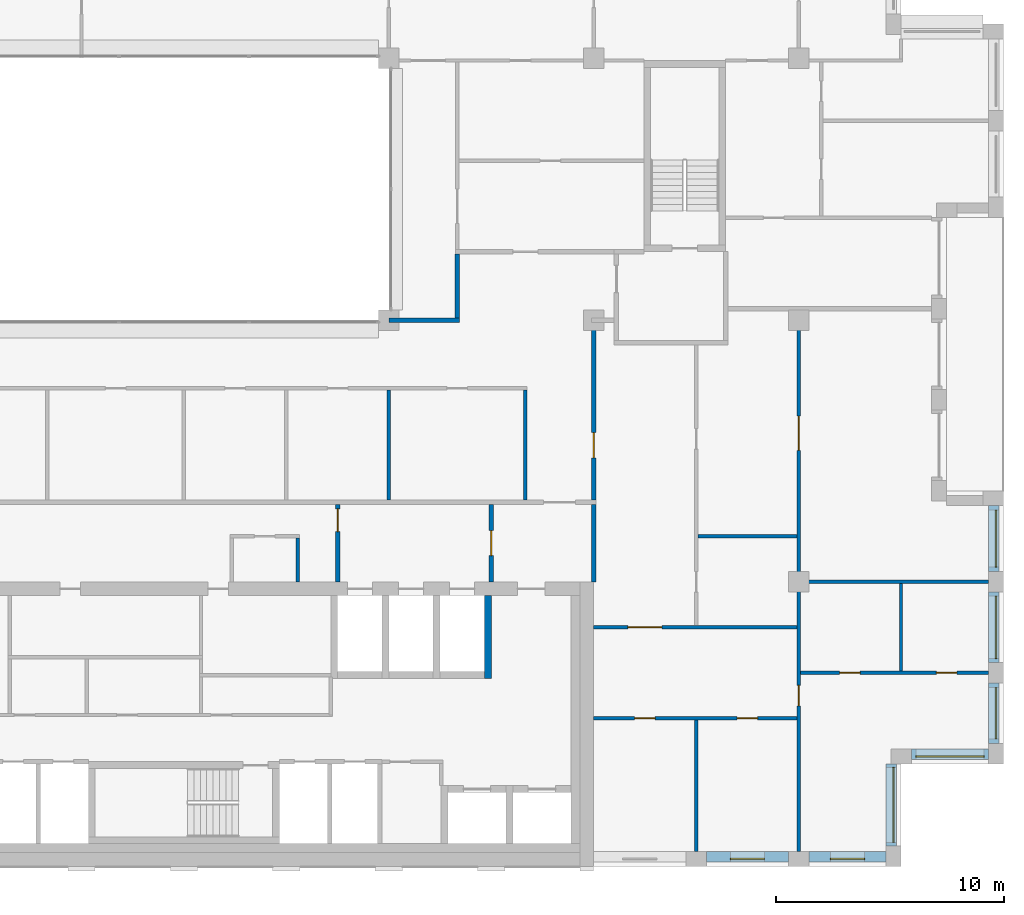
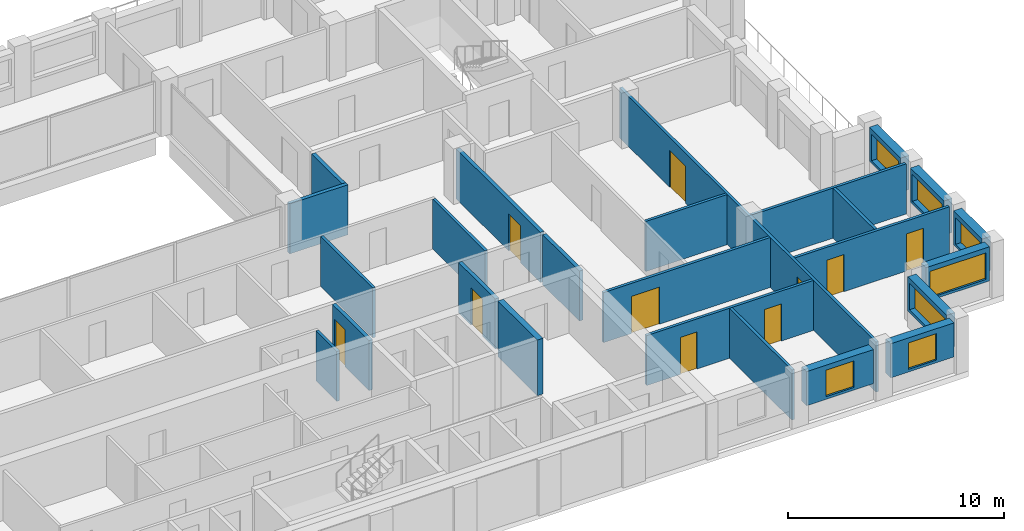
# One storey, part 11 of 15: 25 walls, 10 doors, 7 windows, 17 openings.
"""IFC4 building model written with IfcOpenShell, lengths in metres."""

import ifcopenshell
import ifcopenshell.guid

model = None  # the IFC model being written
_history = None  # IfcOwnerHistory: only IFC2X3 demands one
_inside = {}  # id of a spatial element -> (the spatial element, [elements in it])
_under = {}  # id of a project, library or spatial element -> (it, [spatial elements below it])
_declared = {}  # id of a project -> (the project, [libraries it declares])
_typed = {}  # id of a type object -> (the type object, [elements of that type])
_made_of = {}  # id of a material, layer set ... -> (it, [elements and type objects made of it])


def new_model(schema):
    """Start an empty IFC model of exactly this schema.

    Asked for "IFC4X3", IfcOpenShell would pick the latest addendum, in which some entities
    have other attributes; the version numbers below select the first issue.
    IFC2X3 requires an IfcOwnerHistory on every rooted entity: one is made here for all.
    """
    global model, _history
    if schema == "IFC4X3":
        model = ifcopenshell.file(schema_version=(4, 3, 0, 0))
    else:
        model = ifcopenshell.file(schema=schema)
    _inside.clear()
    _under.clear()
    _declared.clear()
    _typed.clear()
    _made_of.clear()
    _history = None
    if model.schema == "IFC2X3":
        org = make("IfcOrganization", Name="unknown")
        user = make(
            "IfcPersonAndOrganization",
            ThePerson=make("IfcPerson", FamilyName="unknown"),
            TheOrganization=org,
        )
        app = make(
            "IfcApplication",
            ApplicationDeveloper=org,
            Version="unknown",
            ApplicationFullName="unknown",
            ApplicationIdentifier="unknown",
        )
        _history = make(
            "IfcOwnerHistory",
            OwningUser=user,
            OwningApplication=app,
            ChangeAction="ADDED",
            CreationDate=0,
        )
    return model


def make(cls, **values):
    """One entity of the class cls with the attributes given. An attribute that is None is left unset."""
    return model.create_entity(
        cls, **{name: value for name, value in values.items() if value is not None}
    )


def rooted(cls, **values):
    """An entity with a GlobalId (a new one), such as an element, a storey or a relation."""
    return make(cls, GlobalId=ifcopenshell.guid.new(), OwnerHistory=_history, **values)


def si_unit(unit_type, name, prefix=None):
    """IfcSIUnit, for example si_unit("LENGTHUNIT", "METRE", prefix="MILLI")."""
    return make("IfcSIUnit", UnitType=unit_type, Prefix=prefix, Name=name)


def assignment(units):
    """IfcUnitAssignment: the units of a project."""
    return None if units is None else make("IfcUnitAssignment", Units=units)


def point(xyz):
    """IfcCartesianPoint."""
    return None if xyz is None else make("IfcCartesianPoint", Coordinates=xyz)


def direction(xyz):
    """IfcDirection."""
    return None if xyz is None else make("IfcDirection", DirectionRatios=xyz)


def frame(location, z_axis=None, x_axis=None):
    """IfcAxis2Placement3D, a coordinate frame: its origin and axes. An axis left out is left unset."""
    return make(
        "IfcAxis2Placement3D",
        Location=point(location),
        Axis=direction(z_axis),
        RefDirection=direction(x_axis),
    )


def frame_2d(location, x_axis=None):
    """IfcAxis2Placement2D, a coordinate frame in the plane: its origin and x axis."""
    return make(
        "IfcAxis2Placement2D", Location=point(location), RefDirection=direction(x_axis)
    )


def origin():
    """The frame at (0, 0, 0) with its axes left unset."""
    return frame((0.0, 0.0, 0.0))


def place(relative_to, where):
    """IfcLocalPlacement: puts the frame where relative to a parent placement (None: the world)."""
    return make(
        "IfcLocalPlacement", PlacementRelTo=relative_to, RelativePlacement=where
    )


def context(
    kind, dimensions, precision=None, world=None, true_north=None, identifier=None
):
    """IfcGeometricRepresentationContext, for example the 3D "Model" context."""
    return make(
        "IfcGeometricRepresentationContext",
        ContextIdentifier=identifier,
        ContextType=kind,
        CoordinateSpaceDimension=dimensions,
        Precision=precision,
        WorldCoordinateSystem=world,
        TrueNorth=true_north,
    )


def subcontext(parent, identifier, kind, view, scale=None):
    """IfcGeometricRepresentationSubContext, for example "Body" below "Model"."""
    return make(
        "IfcGeometricRepresentationSubContext",
        ContextIdentifier=identifier,
        ContextType=kind,
        ParentContext=parent,
        TargetScale=scale,
        TargetView=view,
    )


def project(units=None, contexts=None):
    """IfcProject with its units and contexts."""
    return rooted(
        "IfcProject",
        Name="project",
        RepresentationContexts=contexts,
        UnitsInContext=assignment(units),
    )


def spatial(cls, under=None, at=None, **own):
    """A site, building, storey or space (cls), placed at a placement, below another one or the project."""
    s = rooted(cls, ObjectPlacement=at, **own)
    if under is not None:
        _under.setdefault(under.id(), (under, []))[1].append(s)
    return s


def profile(cls, at=None, kind="AREA", **sizes):
    """A parametric profile (cls). Its sizes go by their IFC names, for example OverallWidth=200.0."""
    return make(cls, ProfileType=kind, Position=at, **sizes)


def rectangle(**sizes):
    """IfcRectangleProfileDef."""
    return profile("IfcRectangleProfileDef", **sizes)


def extrude(swept, where, along, depth):
    """IfcExtrudedAreaSolid: the profile swept, set in the frame where, extruded along a direction by depth."""
    return make(
        "IfcExtrudedAreaSolid",
        SweptArea=swept,
        Position=where,
        ExtrudedDirection=direction(along),
        Depth=depth,
    )


def shape(context_of_items, identifier, shape_type, items):
    """IfcShapeRepresentation: the items that make up one representation, for example the "Body"."""
    return make(
        "IfcShapeRepresentation",
        ContextOfItems=context_of_items,
        RepresentationIdentifier=identifier,
        RepresentationType=shape_type,
        Items=items,
    )


def material(Name=None, Category=None):
    """IfcMaterial."""
    return make("IfcMaterial", Name=Name, Category=Category)


def layer(
    of_material, thickness, ventilated=None, Name=None, Category=None, Priority=None
):
    """IfcMaterialLayer: one layer of a wall or slab, of a material (None: an air gap)."""
    return make(
        "IfcMaterialLayer",
        Material=of_material,
        LayerThickness=thickness,
        IsVentilated=ventilated,
        Name=Name,
        Category=Category,
        Priority=Priority,
    )


def layer_set(layers, Name=None):
    """IfcMaterialLayerSet."""
    return make("IfcMaterialLayerSet", MaterialLayers=layers, LayerSetName=Name)


def made_of(thing, what):
    """Note that an element or type object is made of a material, layer set ...; save() writes the relation."""
    if what is not None:
        _made_of.setdefault(what.id(), (what, []))[1].append(thing)
    return thing


def type_object(cls, material=None, **own):
    """A type object (cls), such as IfcWallType, which elements share."""
    return made_of(rooted(cls, **own), material)


def element(
    cls,
    number,
    at=None,
    inside=None,
    cuts=None,
    type_object=None,
    material=None,
    context=None,
    identifier="Body",
    shape_type=None,
    held_by="IfcProductDefinitionShape",
    body=None,
    shapes=None,
    **own,
):
    """One element of the class cls, such as IfcWall. Its Tag is "e" and its number.

    at: its placement. inside: the storey or other place that contains it. cuts: it is an
    opening in that element (IfcRelVoidsElement). A single representation is given by context,
    identifier, shape_type and body (its items); several are given by shapes. held_by: the class
    of the entity that holds the representations. save() writes the other relations.
    """
    e = rooted(cls, Tag="e%d" % number, ObjectPlacement=at, **own)
    if body is not None:
        shapes = [shape(context, identifier, shape_type, body)]
    if shapes is not None:
        e.Representation = make(held_by, Representations=shapes)
    if inside is not None:
        _inside.setdefault(inside.id(), (inside, []))[1].append(e)
    if cuts is not None:
        rooted(
            "IfcRelVoidsElement", RelatingBuildingElement=cuts, RelatedOpeningElement=e
        )
    if type_object is not None:
        _typed.setdefault(type_object.id(), (type_object, []))[1].append(e)
    return made_of(e, material)


def fill(opening, filler):
    """IfcRelFillsElement: the door or window that sits in an opening."""
    return rooted(
        "IfcRelFillsElement",
        RelatingOpeningElement=opening,
        RelatedBuildingElement=filler,
    )


def aggregate(whole, parts):
    """IfcRelAggregates: a whole, such as a stair, and the parts it consists of."""
    return rooted("IfcRelAggregates", RelatingObject=whole, RelatedObjects=parts)


def save(model, path):
    """Write the relations noted so far, then the file.

    IfcRelAggregates (storeys below a building ...), IfcRelContainedInSpatialStructure (elements
    in a storey), IfcRelDefinesByType, IfcRelAssociatesMaterial and IfcRelDeclares: one each for
    every whole, place, type object, material and project.
    """
    for whole, parts in _under.values():
        aggregate(whole, parts)
    for where, things in _inside.values():
        rooted(
            "IfcRelContainedInSpatialStructure",
            RelatedElements=things,
            RelatingStructure=where,
        )
    for kind, things in _typed.values():
        rooted("IfcRelDefinesByType", RelatedObjects=things, RelatingType=kind)
    for what, things in _made_of.values():
        rooted("IfcRelAssociatesMaterial", RelatedObjects=things, RelatingMaterial=what)
    for by, libraries in _declared.values():
        rooted("IfcRelDeclares", RelatingContext=by, RelatedDefinitions=libraries)
    model.write(path)


model = new_model("IFC4")

# Units and contexts
model_context = context("Model", 3, precision=1e-05, world=origin(), true_north=direction((0.0, 1.0)))
body_context = subcontext(model_context, "Body", "Model", "MODEL_VIEW")
ifc_project = project(units=[si_unit("LENGTHUNIT", "METRE"), si_unit("AREAUNIT", "SQUARE_METRE"), si_unit("VOLUMEUNIT", "CUBIC_METRE"), si_unit("PLANEANGLEUNIT", "RADIAN"), si_unit("MASSUNIT", "GRAM", prefix="KILO")], contexts=[model_context])

# Site, building, storey
site_placement = place(None, origin())
site = spatial("IfcSite", under=ifc_project, at=site_placement, CompositionType="ELEMENT")
building_placement = place(site_placement, origin())
building = spatial("IfcBuilding", under=site, at=building_placement, Name="Brigalow Station Residences", CompositionType="ELEMENT")
storey_placement = place(building_placement, frame((0.0, 0.0, 223.199951171875)))
storey = spatial("IfcBuildingStorey", under=building, at=storey_placement, Name="L64", CompositionType="ELEMENT", Elevation=223.199951171875)

# Wall, opening, window
ifc_material_1 = material(Name="Clay brick masonry", Category="masonry")
ifc_layer_1 = layer(ifc_material_1, 0.449951171875)
ifc_layer_set_1 = layer_set([ifc_layer_1], Name="BRICK INFILL WALL 450")
wall_type_1 = type_object("IfcWallType", Name="BRICK INFILL WALL 450", PredefinedType="SOLIDWALL", material=ifc_layer_set_1)
wall_1_placement = place(storey_placement, frame((58.949951171875, 0.425048828125, 0.900146484375), z_axis=(0.0, 0.0, 1.0), x_axis=(1.0, 0.0, 0.0)))
wall_1 = element("IfcWall", 1, at=wall_1_placement, inside=storey, type_object=wall_type_1, Name="L64/ewall/W-L64-4", PredefinedType="SOLIDWALL", context=body_context, shape_type="SweptSolid", body=[
    extrude(rectangle(XDim=3.60009765625, YDim=0.449951171875, at=frame_2d((1.800048828125, 0.0))), origin(), (0.0, 0.0, 1.0), 1.929931640625),
])
opening_1_placement = place(wall_1_placement, frame((1.050048828125, 0.0, 0.14990234375)))
opening_1 = element("IfcOpeningElement", 2, at=opening_1_placement, cuts=wall_1, Name="Opening WT-1", PredefinedType="OPENING", context=body_context, shape_type="SweptSolid", body=[
    extrude(rectangle(XDim=1.5, YDim=1.5, at=frame_2d((0.75, 0.75))), frame((0.0, 0.23486328125, 0.0), z_axis=(0.0, -1.0, 0.0), x_axis=(1.0, 0.0, 0.0)), (0.0, 0.0, 1.0), 0.469970703125),
])
ifc_material_2 = material(Name="Anodised aluminium frame with double glazing", Category="aluminium")
window_type_1 = type_object("IfcWindowType", Name="WINDOW 1500x1500", PartitioningType="SINGLE_PANEL", PredefinedType="WINDOW", material=ifc_material_2)
window_1_placement = place(opening_1_placement, origin())
window_1 = element("IfcWindow", 3, at=window_1_placement, inside=storey, type_object=window_type_1, Name="L64/window/W-L64-4", OverallHeight=1.5, OverallWidth=1.5, PartitioningType="SINGLE_PANEL", PredefinedType="WINDOW", context=body_context, shape_type="SweptSolid", body=[
    extrude(rectangle(XDim=1.5, YDim=1.5, at=frame_2d((0.75, 0.75))), frame((0.0, -0.06494140625, 0.0), z_axis=(0.0, -1.0, 0.0), x_axis=(1.0, 0.0, 0.0)), (0.0, 0.0, 1.0), 0.06005859375),
])
fill(opening_1, window_1)

wall_2_placement = place(storey_placement, frame((63.449951171875, 0.425048828125, 0.900146484375), z_axis=(0.0, 0.0, 1.0), x_axis=(1.0, 0.0, 0.0)))
wall_2 = element("IfcWall", 4, at=wall_2_placement, inside=storey, type_object=wall_type_1, Name="L64/ewall/W-L64-5", PredefinedType="SOLIDWALL", context=body_context, shape_type="SweptSolid", body=[
    extrude(rectangle(XDim=3.400146484375, YDim=0.449951171875, at=frame_2d((1.7001953125, 0.0))), origin(), (0.0, 0.0, 1.0), 1.929931640625),
])
opening_2_placement = place(wall_2_placement, frame((0.949951171875, 0.0, 0.14990234375)))
opening_2 = element("IfcOpeningElement", 5, at=opening_2_placement, cuts=wall_2, Name="Opening WT-1", PredefinedType="OPENING", context=body_context, shape_type="SweptSolid", body=[
    extrude(rectangle(XDim=1.5, YDim=1.5, at=frame_2d((0.75, 0.75))), frame((0.0, 0.23486328125, 0.0), z_axis=(0.0, -1.0, 0.0), x_axis=(1.0, 0.0, 0.0)), (0.0, 0.0, 1.0), 0.469970703125),
])
window_2_placement = place(opening_2_placement, origin())
window_2 = element("IfcWindow", 6, at=window_2_placement, inside=storey, type_object=window_type_1, Name="L64/window/W-L64-5", OverallHeight=1.5, OverallWidth=1.5, PartitioningType="SINGLE_PANEL", PredefinedType="WINDOW", context=body_context, shape_type="SweptSolid", body=[
    extrude(rectangle(XDim=1.5, YDim=1.5, at=frame_2d((0.75, 0.75))), frame((0.0, -0.06494140625, 0.0), z_axis=(0.0, -1.0, 0.0), x_axis=(1.0, 0.0, 0.0)), (0.0, 0.0, 1.0), 0.06005859375),
])
fill(opening_2, window_2)

wall_3_placement = place(storey_placement, frame((67.074951171875, 0.89990234375, 0.900146484375), z_axis=(0.0, 0.0, 1.0), x_axis=(0.0, 1.0, 0.0)))
wall_3 = element("IfcWall", 7, at=wall_3_placement, inside=storey, type_object=wall_type_1, Name="L64/ewall/W-L64-6", PredefinedType="SOLIDWALL", context=body_context, shape_type="SweptSolid", body=[
    extrude(rectangle(XDim=3.60009765625, YDim=0.449951171875, at=frame_2d((1.800048828125, 0.0))), origin(), (0.0, 0.0, 1.0), 1.929931640625),
])
opening_3_placement = place(wall_3_placement, frame((0.14990234375, 0.0, 0.14990234375)))
opening_3 = element("IfcOpeningElement", 8, at=opening_3_placement, cuts=wall_3, Name="Opening WT-10", PredefinedType="OPENING", context=body_context, shape_type="SweptSolid", body=[
    extrude(rectangle(XDim=3.300048828125, YDim=1.5, at=frame_2d((1.64990234375, 0.75))), frame((0.0, 0.23486328125, 0.0), z_axis=(0.0, -1.0, 0.0), x_axis=(1.0, 0.0, 0.0)), (0.0, 0.0, 1.0), 0.469970703125),
])
ifc_material_3 = material(Name="Anodised aluminium frame with double glazing", Category="aluminium")
window_type_2 = type_object("IfcWindowType", Name="WINDOW 3300x1500", PartitioningType="SINGLE_PANEL", PredefinedType="WINDOW", material=ifc_material_3)
window_3_placement = place(opening_3_placement, origin())
window_3 = element("IfcWindow", 9, at=window_3_placement, inside=storey, type_object=window_type_2, Name="L64/window/W-L64-6", OverallHeight=1.5, OverallWidth=3.300048828125, PartitioningType="SINGLE_PANEL", PredefinedType="WINDOW", context=body_context, shape_type="SweptSolid", body=[
    extrude(rectangle(XDim=3.300048828125, YDim=1.5, at=frame_2d((1.64990234375, 0.75))), frame((0.0, -0.06494140625, 0.0), z_axis=(0.0, -1.0, 0.0), x_axis=(1.0, 0.0, 0.0)), (0.0, 0.0, 1.0), 0.06005859375),
])
fill(opening_3, window_3)

wall_4_placement = place(storey_placement, frame((67.949951171875, 4.925048828125, 0.900146484375), z_axis=(0.0, 0.0, 1.0), x_axis=(1.0, 0.0, 0.0)))
wall_4 = element("IfcWall", 10, at=wall_4_placement, inside=storey, type_object=wall_type_1, Name="L64/ewall/W-L64-7", PredefinedType="SOLIDWALL", context=body_context, shape_type="SweptSolid", body=[
    extrude(rectangle(XDim=3.400146484375, YDim=0.449951171875, at=frame_2d((1.7001953125, 0.0))), origin(), (0.0, 0.0, 1.0), 1.929931640625),
])
opening_4_placement = place(wall_4_placement, frame((0.199951171875, 0.0, 0.14990234375)))
opening_4 = element("IfcOpeningElement", 11, at=opening_4_placement, cuts=wall_4, Name="Opening WT-2", PredefinedType="OPENING", context=body_context, shape_type="SweptSolid", body=[
    extrude(rectangle(XDim=3.0, YDim=1.5, at=frame_2d((1.5, 0.75))), frame((0.0, 0.23486328125, 0.0), z_axis=(0.0, -1.0, 0.0), x_axis=(1.0, 0.0, 0.0)), (0.0, 0.0, 1.0), 0.469970703125),
])
ifc_material_4 = material(Name="Anodised aluminium frame with double glazing", Category="aluminium")
window_type_3 = type_object("IfcWindowType", Name="WINDOW 3000x1500", PartitioningType="SINGLE_PANEL", PredefinedType="WINDOW", material=ifc_material_4)
window_4_placement = place(opening_4_placement, origin())
window_4 = element("IfcWindow", 12, at=window_4_placement, inside=storey, type_object=window_type_3, Name="L64/window/W-L64-7", OverallHeight=1.5, OverallWidth=3.0, PartitioningType="SINGLE_PANEL", PredefinedType="WINDOW", context=body_context, shape_type="SweptSolid", body=[
    extrude(rectangle(XDim=3.0, YDim=1.5, at=frame_2d((1.5, 0.75))), frame((0.0, -0.06494140625, 0.0), z_axis=(0.0, -1.0, 0.0), x_axis=(1.0, 0.0, 0.0)), (0.0, 0.0, 1.0), 0.06005859375),
])
fill(opening_4, window_4)

wall_5_placement = place(storey_placement, frame((71.574951171875, 5.39990234375, 0.900146484375), z_axis=(0.0, 0.0, 1.0), x_axis=(0.0, 1.0, 0.0)))
wall_5 = element("IfcWall", 13, at=wall_5_placement, inside=storey, type_object=wall_type_1, Name="L64/ewall/W-L64-8", PredefinedType="SOLIDWALL", context=body_context, shape_type="SweptSolid", body=[
    extrude(rectangle(XDim=2.650146484375, YDim=0.449951171875, at=frame_2d((1.3251953125, 0.0))), origin(), (0.0, 0.0, 1.0), 1.929931640625),
])
opening_5_placement = place(wall_5_placement, frame((0.199951171875, 0.0, 0.14990234375)))
opening_5 = element("IfcOpeningElement", 14, at=opening_5_placement, cuts=wall_5, Name="Opening WT-6", PredefinedType="OPENING", context=body_context, shape_type="SweptSolid", body=[
    extrude(rectangle(XDim=2.25, YDim=1.5, at=frame_2d((1.125, 0.75))), frame((0.0, 0.23486328125, 0.0), z_axis=(0.0, -1.0, 0.0), x_axis=(1.0, 0.0, 0.0)), (0.0, 0.0, 1.0), 0.469970703125),
])
ifc_material_5 = material(Name="Anodised aluminium frame with double glazing", Category="aluminium")
window_type_4 = type_object("IfcWindowType", Name="WINDOW 2250x1500", PartitioningType="SINGLE_PANEL", PredefinedType="WINDOW", material=ifc_material_5)
window_5_placement = place(opening_5_placement, origin())
window_5 = element("IfcWindow", 15, at=window_5_placement, inside=storey, type_object=window_type_4, Name="L64/window/W-L64-8", OverallHeight=1.5, OverallWidth=2.25, PartitioningType="SINGLE_PANEL", PredefinedType="WINDOW", context=body_context, shape_type="SweptSolid", body=[
    extrude(rectangle(XDim=2.25, YDim=1.5, at=frame_2d((1.125, 0.75))), frame((0.0, -0.06494140625, 0.0), z_axis=(0.0, -1.0, 0.0), x_axis=(1.0, 0.0, 0.0)), (0.0, 0.0, 1.0), 0.06005859375),
])
fill(opening_5, window_5)

wall_6_placement = place(storey_placement, frame((71.574951171875, 8.949951171875, 0.900146484375), z_axis=(0.0, 0.0, 1.0), x_axis=(0.0, 1.0, 0.0)))
wall_6 = element("IfcWall", 16, at=wall_6_placement, inside=storey, type_object=wall_type_1, Name="L64/ewall/W-L64-9", PredefinedType="SOLIDWALL", context=body_context, shape_type="SweptSolid", body=[
    extrude(rectangle(XDim=3.10009765625, YDim=0.449951171875, at=frame_2d((1.550048828125, 0.0))), origin(), (0.0, 0.0, 1.0), 1.929931640625),
])
opening_6_placement = place(wall_6_placement, frame((0.175048828125, 0.0, 0.14990234375)))
opening_6 = element("IfcOpeningElement", 17, at=opening_6_placement, cuts=wall_6, Name="Opening WT-3", PredefinedType="OPENING", context=body_context, shape_type="SweptSolid", body=[
    extrude(rectangle(XDim=2.75, YDim=1.5, at=frame_2d((1.375, 0.75))), frame((0.0, 0.23486328125, 0.0), z_axis=(0.0, -1.0, 0.0), x_axis=(1.0, 0.0, 0.0)), (0.0, 0.0, 1.0), 0.469970703125),
])
ifc_material_6 = material(Name="Anodised aluminium frame with double glazing", Category="aluminium")
window_type_5 = type_object("IfcWindowType", Name="WINDOW 2750x1500", PartitioningType="SINGLE_PANEL", PredefinedType="WINDOW", material=ifc_material_6)
window_6_placement = place(opening_6_placement, origin())
window_6 = element("IfcWindow", 18, at=window_6_placement, inside=storey, type_object=window_type_5, Name="L64/window/W-L64-9", OverallHeight=1.5, OverallWidth=2.75, PartitioningType="SINGLE_PANEL", PredefinedType="WINDOW", context=body_context, shape_type="SweptSolid", body=[
    extrude(rectangle(XDim=2.75, YDim=1.5, at=frame_2d((1.375, 0.75))), frame((0.0, -0.06494140625, 0.0), z_axis=(0.0, -1.0, 0.0), x_axis=(1.0, 0.0, 0.0)), (0.0, 0.0, 1.0), 0.06005859375),
])
fill(opening_6, window_6)

wall_7_placement = place(storey_placement, frame((71.574951171875, 12.949951171875, 0.900146484375), z_axis=(0.0, 0.0, 1.0), x_axis=(0.0, 1.0, 0.0)))
wall_7 = element("IfcWall", 19, at=wall_7_placement, inside=storey, type_object=wall_type_1, Name="L64/ewall/W-L64-10", PredefinedType="SOLIDWALL", context=body_context, shape_type="SweptSolid", body=[
    extrude(rectangle(XDim=2.900146484375, YDim=0.449951171875, at=frame_2d((1.4501953125, 0.0))), origin(), (0.0, 0.0, 1.0), 1.929931640625),
])
opening_7_placement = place(wall_7_placement, frame((0.199951171875, 0.0, 0.14990234375)))
opening_7 = element("IfcOpeningElement", 20, at=opening_7_placement, cuts=wall_7, Name="Opening WT-5", PredefinedType="OPENING", context=body_context, shape_type="SweptSolid", body=[
    extrude(rectangle(XDim=2.5, YDim=1.5, at=frame_2d((1.25, 0.75))), frame((0.0, 0.23486328125, 0.0), z_axis=(0.0, -1.0, 0.0), x_axis=(1.0, 0.0, 0.0)), (0.0, 0.0, 1.0), 0.469970703125),
])
ifc_material_7 = material(Name="Anodised aluminium frame with double glazing", Category="aluminium")
window_type_6 = type_object("IfcWindowType", Name="WINDOW 2500x1500", PartitioningType="SINGLE_PANEL", PredefinedType="WINDOW", material=ifc_material_7)
window_7_placement = place(opening_7_placement, origin())
window_7 = element("IfcWindow", 21, at=window_7_placement, inside=storey, type_object=window_type_6, Name="L64/window/W-L64-10", OverallHeight=1.5, OverallWidth=2.5, PartitioningType="SINGLE_PANEL", PredefinedType="WINDOW", context=body_context, shape_type="SweptSolid", body=[
    extrude(rectangle(XDim=2.5, YDim=1.5, at=frame_2d((1.25, 0.75))), frame((0.0, -0.06494140625, 0.0), z_axis=(0.0, -1.0, 0.0), x_axis=(1.0, 0.0, 0.0)), (0.0, 0.0, 1.0), 0.06005859375),
])
fill(opening_7, window_7)

# Wall
ifc_material_8 = material(Name="Concrete C50", Category="concrete")
ifc_layer_2 = layer(ifc_material_8, 0.300048828125)
ifc_layer_set_2 = layer_set([ifc_layer_2], Name="CORE SHEAR WALL 300 C50")
wall_type_2 = type_object("IfcWallType", Name="CORE SHEAR WALL 300 C50", PredefinedType="SHEAR", material=ifc_layer_set_2)
wall_8_placement = place(storey_placement, frame((49.35009765625, 8.25, 0.0), z_axis=(0.0, 0.0, 1.0), x_axis=(0.0, 1.0, 0.0)))
element("IfcWall", 22, at=wall_8_placement, inside=storey, type_object=wall_type_2, Name="CORE WALL SH-SL1-E L64", PredefinedType="SHEAR", context=body_context, shape_type="SweptSolid", body=[
    extrude(rectangle(XDim=3.64990234375, YDim=0.300048828125, at=frame_2d((1.824951171875, 0.0))), origin(), (0.0, 0.0, 1.0), 3.150146484375),
])

# Wall, opening, door
ifc_material_9 = material(Name="Concrete blockwork", Category="masonry")
ifc_layer_3 = layer(ifc_material_9, 0.199951171875)
ifc_layer_set_3 = layer_set([ifc_layer_3], Name="FIRE RATED CORE PARTITION 200")
wall_type_3 = type_object("IfcWallType", Name="FIRE RATED CORE PARTITION 200", PredefinedType="PARTITIONING", material=ifc_layer_set_3)
wall_9_placement = place(storey_placement, frame((42.75, 12.5, 0.0), z_axis=(0.0, 0.0, 1.0), x_axis=(0.0, 1.0, 0.0)))
wall_9 = element("IfcWall", 23, at=wall_9_placement, inside=storey, type_object=wall_type_3, Name="PW-5014", PredefinedType="PARTITIONING", context=body_context, shape_type="SweptSolid", body=[
    extrude(rectangle(XDim=3.39990234375, YDim=0.199951171875, at=frame_2d((1.699951171875, 0.0))), origin(), (0.0, 0.0, 1.0), 2.830078125),
])
opening_8_placement = place(wall_9_placement, frame((2.199951171875, 0.0, 0.0)))
opening_8 = element("IfcOpeningElement", 24, at=opening_8_placement, cuts=wall_9, Name="Opening D-5013", PredefinedType="OPENING", context=body_context, shape_type="SweptSolid", body=[
    extrude(rectangle(XDim=1.0, YDim=2.10009765625, at=frame_2d((0.5, 1.050048828125))), frame((0.0, 0.10986328125, 0.0), z_axis=(0.0, -1.0, 0.0), x_axis=(1.0, 0.0, 0.0)), (0.0, 0.0, 1.0), 0.219970703125),
])
ifc_material_10 = material(Name="Steel fire door leaf in steel frame", Category="steel")
door_type_1 = type_object("IfcDoorType", Name="LOBBY DOOR 1000 x 2100 FD60S", OperationType="SINGLE_SWING_LEFT", PredefinedType="DOOR", material=ifc_material_10)
door_1_placement = place(opening_8_placement, origin())
door_1 = element("IfcDoor", 25, at=door_1_placement, inside=storey, type_object=door_type_1, Name="D-5013", OperationType="SINGLE_SWING_RIGHT", OverallHeight=2.10009765625, OverallWidth=1.0, PredefinedType="DOOR", context=body_context, shape_type="SweptSolid", body=[
    extrude(rectangle(XDim=1.0, YDim=2.10009765625, at=frame_2d((0.5, 1.050048828125))), frame((0.0, 0.02490234375, 0.0), z_axis=(0.0, -1.0, 0.0), x_axis=(1.0, 0.0, 0.0)), (0.0, 0.0, 1.0), 0.050048828125),
])
fill(opening_8, door_1)

wall_10_placement = place(storey_placement, frame((49.5, 12.5, 0.0), z_axis=(0.0, 0.0, 1.0), x_axis=(0.0, 1.0, 0.0)))
wall_10 = element("IfcWall", 26, at=wall_10_placement, inside=storey, type_object=wall_type_3, Name="PW-5015", PredefinedType="PARTITIONING", context=body_context, shape_type="SweptSolid", body=[
    extrude(rectangle(XDim=3.39990234375, YDim=0.199951171875, at=frame_2d((1.699951171875, 0.0))), origin(), (0.0, 0.0, 1.0), 2.830078125),
])
opening_9_placement = place(wall_10_placement, frame((1.14990234375, 0.0, 0.0)))
opening_9 = element("IfcOpeningElement", 27, at=opening_9_placement, cuts=wall_10, Name="Opening D-5014", PredefinedType="OPENING", context=body_context, shape_type="SweptSolid", body=[
    extrude(rectangle(XDim=1.10009765625, YDim=2.10009765625, at=frame_2d((0.550048828125, 1.050048828125))), frame((0.0, 0.10986328125, 0.0), z_axis=(0.0, -1.0, 0.0), x_axis=(1.0, 0.0, 0.0)), (0.0, 0.0, 1.0), 0.219970703125),
])
ifc_material_11 = material(Name="Steel fire door leaf in steel frame", Category="steel")
door_type_2 = type_object("IfcDoorType", Name="LOBBY DOOR 1100 x 2100 FD60S", OperationType="SINGLE_SWING_LEFT", PredefinedType="DOOR", material=ifc_material_11)
door_2_placement = place(opening_9_placement, origin())
door_2 = element("IfcDoor", 28, at=door_2_placement, inside=storey, type_object=door_type_2, Name="D-5014", OperationType="SINGLE_SWING_LEFT", OverallHeight=2.10009765625, OverallWidth=1.10009765625, PredefinedType="DOOR", context=body_context, shape_type="SweptSolid", body=[
    extrude(rectangle(XDim=1.10009765625, YDim=2.10009765625, at=frame_2d((0.550048828125, 1.050048828125))), frame((0.0, 0.02490234375, 0.0), z_axis=(0.0, -1.0, 0.0), x_axis=(1.0, 0.0, 0.0)), (0.0, 0.0, 1.0), 0.050048828125),
])
fill(opening_9, door_2)

# Wall
wall_11_placement = place(storey_placement, frame((54.0, 12.5, 0.0), z_axis=(0.0, 0.0, 1.0), x_axis=(0.0, 1.0, 0.0)))
element("IfcWall", 29, at=wall_11_placement, inside=storey, type_object=wall_type_3, Name="PW-5016", PredefinedType="PARTITIONING", context=body_context, shape_type="SweptSolid", body=[
    extrude(rectangle(XDim=3.39990234375, YDim=0.199951171875, at=frame_2d((1.699951171875, 0.0))), origin(), (0.0, 0.0, 1.0), 2.830078125),
])

# Wall, openings, doors
ifc_material_12 = material(Name="Plasterboard on steel stud partition", Category="steel")
ifc_layer_4 = layer(ifc_material_12, 0.14990234375)
ifc_layer_set_4 = layer_set([ifc_layer_4], Name="FLAT PARTITION 150")
wall_type_4 = type_object("IfcWallType", Name="FLAT PARTITION 150", PredefinedType="PARTITIONING", material=ifc_layer_set_4)
wall_12_placement = place(storey_placement, frame((63.074951171875, 8.5, 0.0), z_axis=(0.0, 0.0, 1.0), x_axis=(1.0, 0.0, 0.0)))
wall_12 = element("IfcWall", 30, at=wall_12_placement, inside=storey, type_object=wall_type_4, Name="PW-4D12", PredefinedType="PARTITIONING", context=body_context, shape_type="SweptSolid", body=[
    extrude(rectangle(XDim=8.275146484375, YDim=0.14990234375, at=frame_2d((4.1376953125, 0.0))), origin(), (0.0, 0.0, 1.0), 2.830078125),
])
opening_10_placement = place(wall_12_placement, frame((1.72509765625, 0.0, 0.0)))
opening_10 = element("IfcOpeningElement", 31, at=opening_10_placement, cuts=wall_12, Name="Opening D-4D36", PredefinedType="OPENING", context=body_context, shape_type="SweptSolid", body=[
    extrude(rectangle(XDim=0.89990234375, YDim=2.10009765625, at=frame_2d((0.449951171875, 1.050048828125))), frame((0.0, 0.0849609375, 0.0), z_axis=(0.0, -1.0, 0.0), x_axis=(1.0, 0.0, 0.0)), (0.0, 0.0, 1.0), 0.169921875),
])
opening_11_placement = place(wall_12_placement, frame((5.97509765625, 0.0, 0.0)))
opening_11 = element("IfcOpeningElement", 32, at=opening_11_placement, cuts=wall_12, Name="Opening D-4D37", PredefinedType="OPENING", context=body_context, shape_type="SweptSolid", body=[
    extrude(rectangle(XDim=0.89990234375, YDim=2.10009765625, at=frame_2d((0.449951171875, 1.050048828125))), frame((0.0, 0.0849609375, 0.0), z_axis=(0.0, -1.0, 0.0), x_axis=(1.0, 0.0, 0.0)), (0.0, 0.0, 1.0), 0.169921875),
])
ifc_material_13 = material(Name="Solid-core timber door leaf", Category="wood")
door_type_3 = type_object("IfcDoorType", Name="INTERNAL DOOR 900 x 2100", OperationType="SINGLE_SWING_LEFT", PredefinedType="DOOR", material=ifc_material_13)
door_3_placement = place(opening_10_placement, origin())
door_3 = element("IfcDoor", 33, at=door_3_placement, inside=storey, type_object=door_type_3, Name="D-4D36", OperationType="SINGLE_SWING_LEFT", OverallHeight=2.10009765625, OverallWidth=0.89990234375, PredefinedType="DOOR", context=body_context, shape_type="SweptSolid", body=[
    extrude(rectangle(XDim=0.89990234375, YDim=2.10009765625, at=frame_2d((0.449951171875, 1.050048828125))), frame((0.0, 0.02490234375, 0.0), z_axis=(0.0, -1.0, 0.0), x_axis=(1.0, 0.0, 0.0)), (0.0, 0.0, 1.0), 0.050048828125),
])
fill(opening_10, door_3)
door_4_placement = place(opening_11_placement, origin())
door_4 = element("IfcDoor", 34, at=door_4_placement, inside=storey, type_object=door_type_3, Name="D-4D37", OperationType="SINGLE_SWING_RIGHT", OverallHeight=2.10009765625, OverallWidth=0.89990234375, PredefinedType="DOOR", context=body_context, shape_type="SweptSolid", body=[
    extrude(rectangle(XDim=0.89990234375, YDim=2.10009765625, at=frame_2d((0.449951171875, 1.050048828125))), frame((0.0, 0.02490234375, 0.0), z_axis=(0.0, -1.0, 0.0), x_axis=(1.0, 0.0, 0.0)), (0.0, 0.0, 1.0), 0.050048828125),
])
fill(opening_11, door_4)

# Wall
wall_13_placement = place(storey_placement, frame((63.074951171875, 12.5, 0.0), z_axis=(0.0, 0.0, 1.0), x_axis=(1.0, 0.0, 0.0)))
element("IfcWall", 35, at=wall_13_placement, inside=storey, type_object=wall_type_4, Name="PW-4D14", PredefinedType="PARTITIONING", context=body_context, shape_type="SweptSolid", body=[
    extrude(rectangle(XDim=8.275146484375, YDim=0.14990234375, at=frame_2d((4.1376953125, 0.0))), origin(), (0.0, 0.0, 1.0), 2.830078125),
])

# Wall, openings, doors
wall_14_placement = place(storey_placement, frame((54.0, 6.5, 0.0), z_axis=(0.0, 0.0, 1.0), x_axis=(1.0, 0.0, 0.0)))
wall_14 = element("IfcWall", 36, at=wall_14_placement, inside=storey, type_object=wall_type_4, Name="PW-4D24", PredefinedType="PARTITIONING", context=body_context, shape_type="SweptSolid", body=[
    extrude(rectangle(XDim=8.925048828125, YDim=0.14990234375, at=frame_2d((4.46240234375, 0.0))), origin(), (0.0, 0.0, 1.0), 2.830078125),
])
opening_12_placement = place(wall_14_placement, frame((1.800048828125, 0.0, 0.0)))
opening_12 = element("IfcOpeningElement", 37, at=opening_12_placement, cuts=wall_14, Name="Opening D-4D33", PredefinedType="OPENING", context=body_context, shape_type="SweptSolid", body=[
    extrude(rectangle(XDim=0.89990234375, YDim=2.10009765625, at=frame_2d((0.449951171875, 1.050048828125))), frame((0.0, 0.0849609375, 0.0), z_axis=(0.0, -1.0, 0.0), x_axis=(1.0, 0.0, 0.0)), (0.0, 0.0, 1.0), 0.169921875),
])
opening_13_placement = place(wall_14_placement, frame((6.300048828125, 0.0, 0.0)))
opening_13 = element("IfcOpeningElement", 38, at=opening_13_placement, cuts=wall_14, Name="Opening D-4D34", PredefinedType="OPENING", context=body_context, shape_type="SweptSolid", body=[
    extrude(rectangle(XDim=0.89990234375, YDim=2.10009765625, at=frame_2d((0.449951171875, 1.050048828125))), frame((0.0, 0.0849609375, 0.0), z_axis=(0.0, -1.0, 0.0), x_axis=(1.0, 0.0, 0.0)), (0.0, 0.0, 1.0), 0.169921875),
])
door_5_placement = place(opening_12_placement, frame((0.89990234375, 0.0, 0.0), z_axis=(0.0, 0.0, 1.0), x_axis=(-1.0, 0.0, 0.0)))
door_5 = element("IfcDoor", 39, at=door_5_placement, inside=storey, type_object=door_type_3, Name="D-4D33", OperationType="SINGLE_SWING_LEFT", OverallHeight=2.10009765625, OverallWidth=0.89990234375, PredefinedType="DOOR", context=body_context, shape_type="SweptSolid", body=[
    extrude(rectangle(XDim=0.89990234375, YDim=2.10009765625, at=frame_2d((0.449951171875, 1.050048828125))), frame((0.0, 0.02490234375, 0.0), z_axis=(0.0, -1.0, 0.0), x_axis=(1.0, 0.0, 0.0)), (0.0, 0.0, 1.0), 0.050048828125),
])
fill(opening_12, door_5)
door_6_placement = place(opening_13_placement, frame((0.89990234375, 0.0, 0.0), z_axis=(0.0, 0.0, 1.0), x_axis=(-1.0, 0.0, 0.0)))
door_6 = element("IfcDoor", 40, at=door_6_placement, inside=storey, type_object=door_type_3, Name="D-4D34", OperationType="SINGLE_SWING_RIGHT", OverallHeight=2.10009765625, OverallWidth=0.89990234375, PredefinedType="DOOR", context=body_context, shape_type="SweptSolid", body=[
    extrude(rectangle(XDim=0.89990234375, YDim=2.10009765625, at=frame_2d((0.449951171875, 1.050048828125))), frame((0.0, 0.02490234375, 0.0), z_axis=(0.0, -1.0, 0.0), x_axis=(1.0, 0.0, 0.0)), (0.0, 0.0, 1.0), 0.050048828125),
])
fill(opening_13, door_6)

# Wall, opening, door
wall_15_placement = place(storey_placement, frame((54.0, 10.5, 0.0), z_axis=(0.0, 0.0, 1.0), x_axis=(1.0, 0.0, 0.0)))
wall_15 = element("IfcWall", 41, at=wall_15_placement, inside=storey, type_object=wall_type_4, Name="PW-4D25", PredefinedType="PARTITIONING", context=body_context, shape_type="SweptSolid", body=[
    extrude(rectangle(XDim=8.925048828125, YDim=0.14990234375, at=frame_2d((4.46240234375, 0.0))), origin(), (0.0, 0.0, 1.0), 2.830078125),
])
opening_14_placement = place(wall_15_placement, frame((1.5, 0.0, 0.0)))
opening_14 = element("IfcOpeningElement", 42, at=opening_14_placement, cuts=wall_15, Name="Opening D-4D32", PredefinedType="OPENING", context=body_context, shape_type="SweptSolid", body=[
    extrude(rectangle(XDim=1.5, YDim=2.10009765625, at=frame_2d((0.75, 1.050048828125))), frame((0.0, 0.0849609375, 0.0), z_axis=(0.0, -1.0, 0.0), x_axis=(1.0, 0.0, 0.0)), (0.0, 0.0, 1.0), 0.169921875),
])
ifc_material_14 = material(Name="Solid-core timber door leaf", Category="wood")
door_type_4 = type_object("IfcDoorType", Name="INTERNAL DOUBLE DOOR 1500 x 2100", OperationType="DOUBLE_DOOR_SINGLE_SWING", PredefinedType="DOOR", material=ifc_material_14)
door_7_placement = place(opening_14_placement, frame((1.5, 0.0, 0.0), z_axis=(0.0, 0.0, 1.0), x_axis=(-1.0, 0.0, 0.0)))
door_7 = element("IfcDoor", 43, at=door_7_placement, inside=storey, type_object=door_type_4, Name="D-4D32", OperationType="DOUBLE_DOOR_SINGLE_SWING", OverallHeight=2.10009765625, OverallWidth=1.5, PredefinedType="DOOR", context=body_context, shape_type="SweptSolid", body=[
    extrude(rectangle(XDim=1.5, YDim=2.10009765625, at=frame_2d((0.75, 1.050048828125))), frame((0.0, 0.02490234375, 0.0), z_axis=(0.0, -1.0, 0.0), x_axis=(1.0, 0.0, 0.0)), (0.0, 0.0, 1.0), 0.050048828125),
])
fill(opening_14, door_7)

# Walls
wall_16_placement = place(storey_placement, frame((58.574951171875, 14.5, 0.0), z_axis=(0.0, 0.0, 1.0), x_axis=(1.0, 0.0, 0.0)))
element("IfcWall", 44, at=wall_16_placement, inside=storey, type_object=wall_type_4, Name="PW-4D26", PredefinedType="PARTITIONING", context=body_context, shape_type="SweptSolid", body=[
    extrude(rectangle(XDim=4.35009765625, YDim=0.14990234375, at=frame_2d((2.175048828125, 0.0))), origin(), (0.0, 0.0, 1.0), 2.830078125),
])
for number, where, z_axis, x_axis, name in (
    (45, (51.0, 16.10009765625, 0.0), (0.0, 0.0, 1.0), (0.0, 1.0, 0.0), "PW-4D33"),
    (46, (45.0, 16.10009765625, 0.0), (0.0, 0.0, 1.0), (0.0, 1.0, 0.0), "PW-4D40"),
):
    element("IfcWall", number, at=place(storey_placement, frame(where, z_axis=z_axis, x_axis=x_axis)), inside=storey, type_object=wall_type_4, Name=name, PredefinedType="PARTITIONING", context=body_context, shape_type="SweptSolid", body=[
        extrude(rectangle(XDim=4.824951171875, YDim=0.14990234375, at=frame_2d((2.41259765625, 0.0))), origin(), (0.0, 0.0, 1.0), 2.830078125),
    ])

# Wall, openings, doors
wall_17_placement = place(storey_placement, frame((63.0, 0.64990234375, 0.0), z_axis=(0.0, 0.0, 1.0), x_axis=(0.0, 1.0, 0.0)))
wall_17 = element("IfcWall", 47, at=wall_17_placement, inside=storey, type_object=wall_type_4, Name="PW-4D45", PredefinedType="PARTITIONING", context=body_context, shape_type="SweptSolid", body=[
    extrude(rectangle(XDim=23.75, YDim=0.14990234375, at=frame_2d((11.875, 0.0))), origin(), (0.0, 0.0, 1.0), 2.830078125),
])
opening_15_placement = place(wall_17_placement, frame((6.39990234375, 0.0, 0.0)))
opening_15 = element("IfcOpeningElement", 48, at=opening_15_placement, cuts=wall_17, Name="Opening D-4D35", PredefinedType="OPENING", context=body_context, shape_type="SweptSolid", body=[
    extrude(rectangle(XDim=0.89990234375, YDim=2.10009765625, at=frame_2d((0.449951171875, 1.050048828125))), frame((0.0, 0.0849609375, 0.0), z_axis=(0.0, -1.0, 0.0), x_axis=(1.0, 0.0, 0.0)), (0.0, 0.0, 1.0), 0.169921875),
])
opening_16_placement = place(wall_17_placement, frame((17.625, 0.0, 0.0)))
opening_16 = element("IfcOpeningElement", 49, at=opening_16_placement, cuts=wall_17, Name="Opening D-4D40", PredefinedType="OPENING", context=body_context, shape_type="SweptSolid", body=[
    extrude(rectangle(XDim=1.5, YDim=2.10009765625, at=frame_2d((0.75, 1.050048828125))), frame((0.0, 0.0849609375, 0.0), z_axis=(0.0, -1.0, 0.0), x_axis=(1.0, 0.0, 0.0)), (0.0, 0.0, 1.0), 0.169921875),
])
door_8_placement = place(opening_15_placement, origin())
door_8 = element("IfcDoor", 50, at=door_8_placement, inside=storey, type_object=door_type_3, Name="D-4D35", OperationType="SINGLE_SWING_LEFT", OverallHeight=2.10009765625, OverallWidth=0.89990234375, PredefinedType="DOOR", context=body_context, shape_type="SweptSolid", body=[
    extrude(rectangle(XDim=0.89990234375, YDim=2.10009765625, at=frame_2d((0.449951171875, 1.050048828125))), frame((0.0, 0.02490234375, 0.0), z_axis=(0.0, -1.0, 0.0), x_axis=(1.0, 0.0, 0.0)), (0.0, 0.0, 1.0), 0.050048828125),
])
fill(opening_15, door_8)
door_9_placement = place(opening_16_placement, origin())
door_9 = element("IfcDoor", 51, at=door_9_placement, inside=storey, type_object=door_type_4, Name="D-4D40", OperationType="DOUBLE_DOOR_SINGLE_SWING", OverallHeight=2.10009765625, OverallWidth=1.5, PredefinedType="DOOR", context=body_context, shape_type="SweptSolid", body=[
    extrude(rectangle(XDim=1.5, YDim=2.10009765625, at=frame_2d((0.75, 1.050048828125))), frame((0.0, 0.02490234375, 0.0), z_axis=(0.0, -1.0, 0.0), x_axis=(1.0, 0.0, 0.0)), (0.0, 0.0, 1.0), 0.050048828125),
])
fill(opening_16, door_9)

# Walls
wall_18_placement = place(storey_placement, frame((67.5, 8.574951171875, 0.0), z_axis=(0.0, 0.0, 1.0), x_axis=(0.0, 1.0, 0.0)))
element("IfcWall", 52, at=wall_18_placement, inside=storey, type_object=wall_type_4, Name="PW-4D47", PredefinedType="PARTITIONING", context=body_context, shape_type="SweptSolid", body=[
    extrude(rectangle(XDim=3.85009765625, YDim=0.14990234375, at=frame_2d((1.925048828125, 0.0))), origin(), (0.0, 0.0, 1.0), 2.830078125),
])
wall_19_placement = place(storey_placement, frame((58.5, 0.64990234375, 0.0), z_axis=(0.0, 0.0, 1.0), x_axis=(0.0, 1.0, 0.0)))
element("IfcWall", 53, at=wall_19_placement, inside=storey, type_object=wall_type_4, Name="PW-4D50", PredefinedType="PARTITIONING", context=body_context, shape_type="SweptSolid", body=[
    extrude(rectangle(XDim=5.775146484375, YDim=0.14990234375, at=frame_2d((2.8876953125, 0.0))), origin(), (0.0, 0.0, 1.0), 2.830078125),
])
ifc_material_15 = material(Name="Plasterboard on steel stud partition", Category="steel")
ifc_layer_5 = layer(ifc_material_15, 0.199951171875)
ifc_layer_set_5 = layer_set([ifc_layer_5], Name="PARTY AND CORRIDOR WALL 200")
wall_type_5 = type_object("IfcWallType", Name="PARTY AND CORRIDOR WALL 200", PredefinedType="PARTITIONING", material=ifc_layer_set_5)
wall_20_placement = place(storey_placement, frame((45.0, 24.0, 0.0), z_axis=(0.0, 0.0, 1.0), x_axis=(1.0, 0.0, 0.0)))
element("IfcWall", 54, at=wall_20_placement, inside=storey, type_object=wall_type_5, Name="PW-4D03", PredefinedType="PARTITIONING", context=body_context, shape_type="SweptSolid", body=[
    extrude(rectangle(XDim=3.10009765625, YDim=0.199951171875, at=frame_2d((1.550048828125, 0.0))), origin(), (0.0, 0.0, 1.0), 2.830078125),
])

# Wall, opening, door
wall_21_placement = place(storey_placement, frame((54.0, 16.10009765625, 0.0), z_axis=(0.0, 0.0, 1.0), x_axis=(0.0, 1.0, 0.0)))
wall_21 = element("IfcWall", 55, at=wall_21_placement, inside=storey, type_object=wall_type_5, Name="PW-4D31", PredefinedType="PARTITIONING", context=body_context, shape_type="SweptSolid", body=[
    extrude(rectangle(XDim=7.7998046875, YDim=0.199951171875, at=frame_2d((3.89990234375, 0.0))), origin(), (0.0, 0.0, 1.0), 2.830078125),
])
opening_17_placement = place(wall_21_placement, frame((1.85009765625, 0.0, 0.0)))
opening_17 = element("IfcOpeningElement", 56, at=opening_17_placement, cuts=wall_21, Name="Opening D-4D31", PredefinedType="OPENING", context=body_context, shape_type="SweptSolid", body=[
    extrude(rectangle(XDim=1.10009765625, YDim=2.10009765625, at=frame_2d((0.550048828125, 1.050048828125))), frame((0.0, 0.10986328125, 0.0), z_axis=(0.0, -1.0, 0.0), x_axis=(1.0, 0.0, 0.0)), (0.0, 0.0, 1.0), 0.219970703125),
])
ifc_material_16 = material(Name="Solid-core timber door leaf", Category="wood")
door_type_5 = type_object("IfcDoorType", Name="FLAT ENTRANCE DOOR 1100 x 2100 FRL -/60/30", OperationType="SINGLE_SWING_LEFT", PredefinedType="DOOR", material=ifc_material_16)
door_10_placement = place(opening_17_placement, frame((1.10009765625, 0.0, 0.0), z_axis=(0.0, 0.0, 1.0), x_axis=(-1.0, 0.0, 0.0)))
door_10 = element("IfcDoor", 57, at=door_10_placement, inside=storey, type_object=door_type_5, Name="D-4D31", OperationType="SINGLE_SWING_LEFT", OverallHeight=2.10009765625, OverallWidth=1.10009765625, PredefinedType="DOOR", context=body_context, shape_type="SweptSolid", body=[
    extrude(rectangle(XDim=1.10009765625, YDim=2.10009765625, at=frame_2d((0.550048828125, 1.050048828125))), frame((0.0, 0.02490234375, 0.0), z_axis=(0.0, -1.0, 0.0), x_axis=(1.0, 0.0, 0.0)), (0.0, 0.0, 1.0), 0.050048828125),
])
fill(opening_17, door_10)

# Walls
wall_22_placement = place(storey_placement, frame((48.0, 24.10009765625, 0.0), z_axis=(0.0, 0.0, 1.0), x_axis=(0.0, 1.0, 0.0)))
element("IfcWall", 58, at=wall_22_placement, inside=storey, type_object=wall_type_5, Name="PW-4D37", PredefinedType="PARTITIONING", context=body_context, shape_type="SweptSolid", body=[
    extrude(rectangle(XDim=2.7998046875, YDim=0.199951171875, at=frame_2d((1.39990234375, 0.0))), origin(), (0.0, 0.0, 1.0), 2.830078125),
])
ifc_material_17 = material(Name="Plasterboard on steel studs", Category="steel")
ifc_layer_6 = layer(ifc_material_17, 0.14990234375)
ifc_layer_set_6 = layer_set([ifc_layer_6], Name="SERVICE ROOM PARTITION 150")
wall_type_6 = type_object("IfcWallType", Name="SERVICE ROOM PARTITION 150", PredefinedType="PARTITIONING", material=ifc_layer_set_6)
wall_23_placement = place(storey_placement, frame((41.0, 12.5, 0.0), z_axis=(0.0, 0.0, 1.0), x_axis=(0.0, 1.0, 0.0)))
element("IfcWall", 59, at=wall_23_placement, inside=storey, type_object=wall_type_6, Name="PW-5140", PredefinedType="PARTITIONING", context=body_context, shape_type="SweptSolid", body=[
    extrude(rectangle(XDim=1.925048828125, YDim=0.14990234375, at=frame_2d((0.96240234375, 0.0))), origin(), (0.0, 0.0, 1.0), 2.830078125),
])

save(model, "model.ifc")
